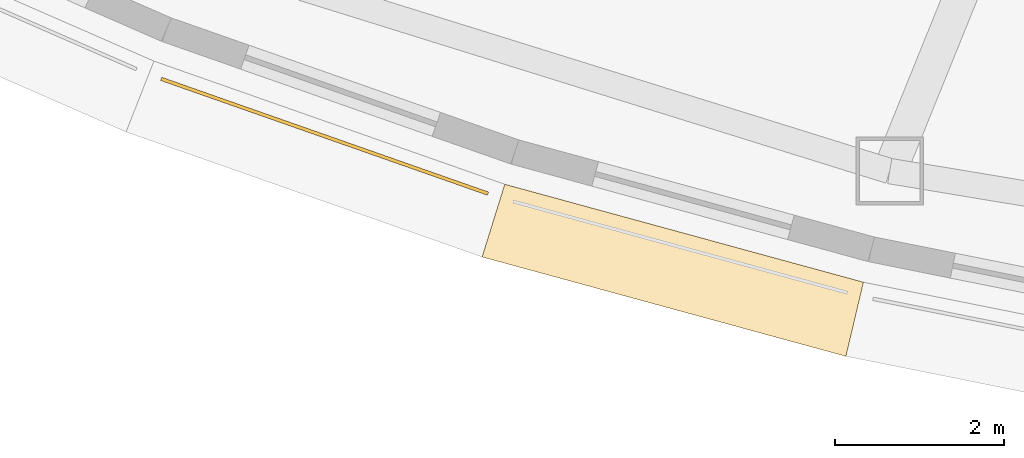
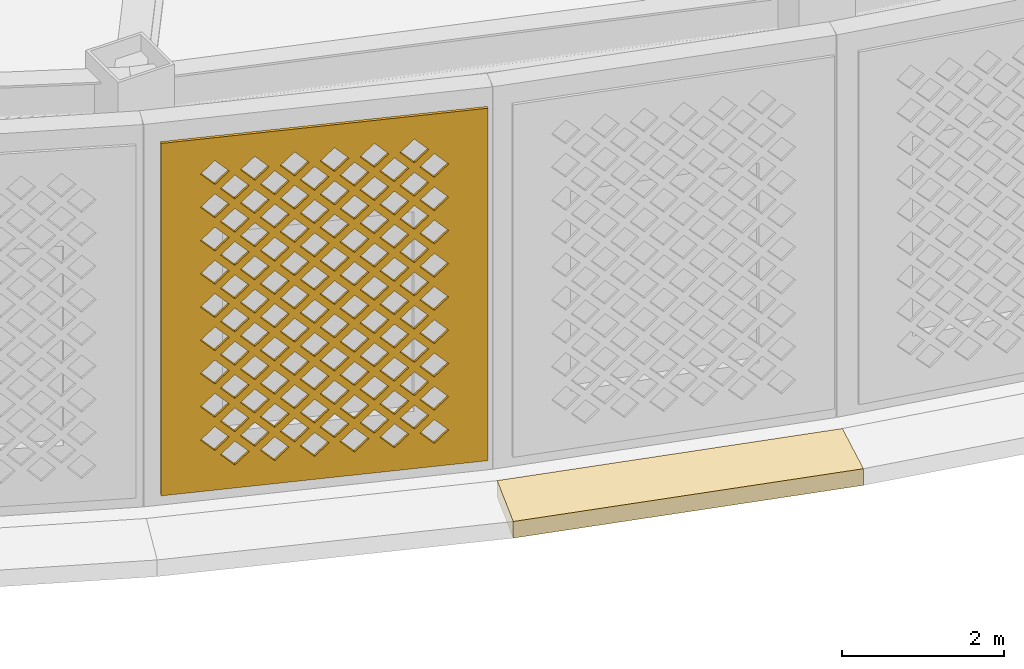
# One storey, part 53 of 74: 2 coverings.
"""IFC4 building model written with IfcOpenShell, lengths in metres."""

from ifc_helpers import new_model, si_unit, direction, frame, origin, place, context, subcontext, project, spatial, polyline, outline, extrude, material, layer, layer_set, type_object, element, save


model = new_model("IFC4")

# Units and contexts
model_context = context("Model", 3, precision=1e-05, world=origin(), true_north=direction((0.0, 1.0)))
body_context = subcontext(model_context, "Body", "Model", "MODEL_VIEW")
ifc_project = project(units=[si_unit("LENGTHUNIT", "METRE"), si_unit("AREAUNIT", "SQUARE_METRE"), si_unit("VOLUMEUNIT", "CUBIC_METRE"), si_unit("PLANEANGLEUNIT", "RADIAN"), si_unit("MASSUNIT", "GRAM", prefix="KILO")], contexts=[model_context])

# Site, building, storey
site_placement = place(None, origin())
site = spatial("IfcSite", under=ifc_project, at=site_placement, CompositionType="ELEMENT")
building_placement = place(site_placement, origin())
building = spatial("IfcBuilding", under=site, at=building_placement, Name="Noorbagh Ring Tower", CompositionType="ELEMENT")
storey_placement = place(building_placement, frame((0.0, 0.0, 13.5)))
storey = spatial("IfcBuildingStorey", under=building, at=storey_placement, Name="L02", CompositionType="ELEMENT", Elevation=13.5)

# Coverings
ifc_material_1 = material(Name="Red sandstone eave", Category="masonry")
covering_type_1 = type_object("IfcCoveringType", Name="STY-CHHAJJA", PredefinedType="USERDEFINED", material=ifc_material_1)
covering_1_placement = place(storey_placement, frame((0.0, 0.0, -0.25)))
element("IfcCovering", 1, at=covering_1_placement, inside=storey, type_object=covering_type_1, Name="Chhajja eave", ObjectType="CHHAJJA", PredefinedType="USERDEFINED", context=body_context, shape_type="SweptSolid", body=[
    extrude(outline(polyline([(-19.49853515625, -37.081298828125), (-15.2568359375, -38.239501953125), (-15.464111328125, -39.115966796875), (-19.7666015625, -37.941162109375), (-19.49853515625, -37.081298828125)])), origin(), (0.0, 0.0, 1.0), 0.25),
])
ifc_material_2 = material(Name="Red sandstone jali", Category="masonry")
ifc_layer = layer(ifc_material_2, 0.0400390625)
ifc_layer_set = layer_set([ifc_layer], Name="Red sandstone jali")
covering_type_2 = type_object("IfcCoveringType", Name="STY-JALI", PredefinedType="USERDEFINED", material=ifc_layer_set)
covering_2_placement = place(storey_placement, frame((-23.568603515625, -35.853759765625, 0.449951171875), z_axis=(-0.331258049676, -0.94354019762, 0.0), x_axis=(0.94354019762, -0.331258049676, 0.0)))
element("IfcCovering", 2, at=covering_2_placement, inside=storey, type_object=covering_type_2, Name="Jali screen", ObjectType="SCREEN", PredefinedType="USERDEFINED", context=body_context, shape_type="SweptSolid", body=[
    extrude(outline(polyline([(0.0, 0.0), (4.096923828125, 0.0), (4.096923828125, 5.300048828125), (0.0, 5.300048828125), (0.0, 0.0)]), holes=[polyline([(0.743408203125, 0.52490234375), (0.92333984375, 0.344970703125), (1.103515625, 0.52490234375), (0.92333984375, 0.705078125), (0.743408203125, 0.52490234375)]), polyline([(1.243408203125, 0.52490234375), (1.42333984375, 0.344970703125), (1.603515625, 0.52490234375), (1.42333984375, 0.705078125), (1.243408203125, 0.52490234375)]), polyline([(1.743408203125, 0.52490234375), (1.92333984375, 0.344970703125), (2.103515625, 0.52490234375), (1.92333984375, 0.705078125), (1.743408203125, 0.52490234375)]), polyline([(2.243408203125, 0.52490234375), (2.42333984375, 0.344970703125), (2.603515625, 0.52490234375), (2.42333984375, 0.705078125), (2.243408203125, 0.52490234375)]), polyline([(2.743408203125, 0.52490234375), (2.92333984375, 0.344970703125), (3.103515625, 0.52490234375), (2.92333984375, 0.705078125), (2.743408203125, 0.52490234375)]), polyline([(3.243408203125, 0.52490234375), (3.42333984375, 0.344970703125), (3.603515625, 0.52490234375), (3.42333984375, 0.705078125), (3.243408203125, 0.52490234375)]), polyline([(0.493408203125, 0.77490234375), (0.67333984375, 0.594970703125), (0.853515625, 0.77490234375), (0.67333984375, 0.955078125), (0.493408203125, 0.77490234375)]), polyline([(0.993408203125, 0.77490234375), (1.17333984375, 0.594970703125), (1.353515625, 0.77490234375), (1.17333984375, 0.955078125), (0.993408203125, 0.77490234375)]), polyline([(1.493408203125, 0.77490234375), (1.67333984375, 0.594970703125), (1.853515625, 0.77490234375), (1.67333984375, 0.955078125), (1.493408203125, 0.77490234375)]), polyline([(1.993408203125, 0.77490234375), (2.17333984375, 0.594970703125), (2.353515625, 0.77490234375), (2.17333984375, 0.955078125), (1.993408203125, 0.77490234375)]), polyline([(2.493408203125, 0.77490234375), (2.67333984375, 0.594970703125), (2.853515625, 0.77490234375), (2.67333984375, 0.955078125), (2.493408203125, 0.77490234375)]), polyline([(2.993408203125, 0.77490234375), (3.17333984375, 0.594970703125), (3.353515625, 0.77490234375), (3.17333984375, 0.955078125), (2.993408203125, 0.77490234375)]), polyline([(0.743408203125, 1.02490234375), (0.92333984375, 0.844970703125), (1.103515625, 1.02490234375), (0.92333984375, 1.205078125), (0.743408203125, 1.02490234375)]), polyline([(1.243408203125, 1.02490234375), (1.42333984375, 0.844970703125), (1.603515625, 1.02490234375), (1.42333984375, 1.205078125), (1.243408203125, 1.02490234375)]), polyline([(1.743408203125, 1.02490234375), (1.92333984375, 0.844970703125), (2.103515625, 1.02490234375), (1.92333984375, 1.205078125), (1.743408203125, 1.02490234375)]), polyline([(2.243408203125, 1.02490234375), (2.42333984375, 0.844970703125), (2.603515625, 1.02490234375), (2.42333984375, 1.205078125), (2.243408203125, 1.02490234375)]), polyline([(2.743408203125, 1.02490234375), (2.92333984375, 0.844970703125), (3.103515625, 1.02490234375), (2.92333984375, 1.205078125), (2.743408203125, 1.02490234375)]), polyline([(3.243408203125, 1.02490234375), (3.42333984375, 0.844970703125), (3.603515625, 1.02490234375), (3.42333984375, 1.205078125), (3.243408203125, 1.02490234375)]), polyline([(0.493408203125, 1.27490234375), (0.67333984375, 1.094970703125), (0.853515625, 1.27490234375), (0.67333984375, 1.455078125), (0.493408203125, 1.27490234375)]), polyline([(0.993408203125, 1.27490234375), (1.17333984375, 1.094970703125), (1.353515625, 1.27490234375), (1.17333984375, 1.455078125), (0.993408203125, 1.27490234375)]), polyline([(1.493408203125, 1.27490234375), (1.67333984375, 1.094970703125), (1.853515625, 1.27490234375), (1.67333984375, 1.455078125), (1.493408203125, 1.27490234375)]), polyline([(1.993408203125, 1.27490234375), (2.17333984375, 1.094970703125), (2.353515625, 1.27490234375), (2.17333984375, 1.455078125), (1.993408203125, 1.27490234375)]), polyline([(2.493408203125, 1.27490234375), (2.67333984375, 1.094970703125), (2.853515625, 1.27490234375), (2.67333984375, 1.455078125), (2.493408203125, 1.27490234375)]), polyline([(2.993408203125, 1.27490234375), (3.17333984375, 1.094970703125), (3.353515625, 1.27490234375), (3.17333984375, 1.455078125), (2.993408203125, 1.27490234375)]), polyline([(0.743408203125, 1.52490234375), (0.92333984375, 1.344970703125), (1.103515625, 1.52490234375), (0.92333984375, 1.705078125), (0.743408203125, 1.52490234375)]), polyline([(1.243408203125, 1.52490234375), (1.42333984375, 1.344970703125), (1.603515625, 1.52490234375), (1.42333984375, 1.705078125), (1.243408203125, 1.52490234375)]), polyline([(1.743408203125, 1.52490234375), (1.92333984375, 1.344970703125), (2.103515625, 1.52490234375), (1.92333984375, 1.705078125), (1.743408203125, 1.52490234375)]), polyline([(2.243408203125, 1.52490234375), (2.42333984375, 1.344970703125), (2.603515625, 1.52490234375), (2.42333984375, 1.705078125), (2.243408203125, 1.52490234375)]), polyline([(2.743408203125, 1.52490234375), (2.92333984375, 1.344970703125), (3.103515625, 1.52490234375), (2.92333984375, 1.705078125), (2.743408203125, 1.52490234375)]), polyline([(3.243408203125, 1.52490234375), (3.42333984375, 1.344970703125), (3.603515625, 1.52490234375), (3.42333984375, 1.705078125), (3.243408203125, 1.52490234375)]), polyline([(0.493408203125, 1.77490234375), (0.67333984375, 1.594970703125), (0.853515625, 1.77490234375), (0.67333984375, 1.955078125), (0.493408203125, 1.77490234375)]), polyline([(0.993408203125, 1.77490234375), (1.17333984375, 1.594970703125), (1.353515625, 1.77490234375), (1.17333984375, 1.955078125), (0.993408203125, 1.77490234375)]), polyline([(1.493408203125, 1.77490234375), (1.67333984375, 1.594970703125), (1.853515625, 1.77490234375), (1.67333984375, 1.955078125), (1.493408203125, 1.77490234375)]), polyline([(1.993408203125, 1.77490234375), (2.17333984375, 1.594970703125), (2.353515625, 1.77490234375), (2.17333984375, 1.955078125), (1.993408203125, 1.77490234375)]), polyline([(2.493408203125, 1.77490234375), (2.67333984375, 1.594970703125), (2.853515625, 1.77490234375), (2.67333984375, 1.955078125), (2.493408203125, 1.77490234375)]), polyline([(2.993408203125, 1.77490234375), (3.17333984375, 1.594970703125), (3.353515625, 1.77490234375), (3.17333984375, 1.955078125), (2.993408203125, 1.77490234375)]), polyline([(0.743408203125, 2.02490234375), (0.92333984375, 1.844970703125), (1.103515625, 2.02490234375), (0.92333984375, 2.205078125), (0.743408203125, 2.02490234375)]), polyline([(1.243408203125, 2.02490234375), (1.42333984375, 1.844970703125), (1.603515625, 2.02490234375), (1.42333984375, 2.205078125), (1.243408203125, 2.02490234375)]), polyline([(1.743408203125, 2.02490234375), (1.92333984375, 1.844970703125), (2.103515625, 2.02490234375), (1.92333984375, 2.205078125), (1.743408203125, 2.02490234375)]), polyline([(2.243408203125, 2.02490234375), (2.42333984375, 1.844970703125), (2.603515625, 2.02490234375), (2.42333984375, 2.205078125), (2.243408203125, 2.02490234375)]), polyline([(2.743408203125, 2.02490234375), (2.92333984375, 1.844970703125), (3.103515625, 2.02490234375), (2.92333984375, 2.205078125), (2.743408203125, 2.02490234375)]), polyline([(3.243408203125, 2.02490234375), (3.42333984375, 1.844970703125), (3.603515625, 2.02490234375), (3.42333984375, 2.205078125), (3.243408203125, 2.02490234375)]), polyline([(0.493408203125, 2.27490234375), (0.67333984375, 2.094970703125), (0.853515625, 2.27490234375), (0.67333984375, 2.455078125), (0.493408203125, 2.27490234375)]), polyline([(0.993408203125, 2.27490234375), (1.17333984375, 2.094970703125), (1.353515625, 2.27490234375), (1.17333984375, 2.455078125), (0.993408203125, 2.27490234375)]), polyline([(1.493408203125, 2.27490234375), (1.67333984375, 2.094970703125), (1.853515625, 2.27490234375), (1.67333984375, 2.455078125), (1.493408203125, 2.27490234375)]), polyline([(1.993408203125, 2.27490234375), (2.17333984375, 2.094970703125), (2.353515625, 2.27490234375), (2.17333984375, 2.455078125), (1.993408203125, 2.27490234375)]), polyline([(2.493408203125, 2.27490234375), (2.67333984375, 2.094970703125), (2.853515625, 2.27490234375), (2.67333984375, 2.455078125), (2.493408203125, 2.27490234375)]), polyline([(2.993408203125, 2.27490234375), (3.17333984375, 2.094970703125), (3.353515625, 2.27490234375), (3.17333984375, 2.455078125), (2.993408203125, 2.27490234375)]), polyline([(0.743408203125, 2.52490234375), (0.92333984375, 2.344970703125), (1.103515625, 2.52490234375), (0.92333984375, 2.705078125), (0.743408203125, 2.52490234375)]), polyline([(1.243408203125, 2.52490234375), (1.42333984375, 2.344970703125), (1.603515625, 2.52490234375), (1.42333984375, 2.705078125), (1.243408203125, 2.52490234375)]), polyline([(1.743408203125, 2.52490234375), (1.92333984375, 2.344970703125), (2.103515625, 2.52490234375), (1.92333984375, 2.705078125), (1.743408203125, 2.52490234375)]), polyline([(2.243408203125, 2.52490234375), (2.42333984375, 2.344970703125), (2.603515625, 2.52490234375), (2.42333984375, 2.705078125), (2.243408203125, 2.52490234375)]), polyline([(2.743408203125, 2.52490234375), (2.92333984375, 2.344970703125), (3.103515625, 2.52490234375), (2.92333984375, 2.705078125), (2.743408203125, 2.52490234375)]), polyline([(3.243408203125, 2.52490234375), (3.42333984375, 2.344970703125), (3.603515625, 2.52490234375), (3.42333984375, 2.705078125), (3.243408203125, 2.52490234375)]), polyline([(0.493408203125, 2.77490234375), (0.67333984375, 2.594970703125), (0.853515625, 2.77490234375), (0.67333984375, 2.955078125), (0.493408203125, 2.77490234375)]), polyline([(0.993408203125, 2.77490234375), (1.17333984375, 2.594970703125), (1.353515625, 2.77490234375), (1.17333984375, 2.955078125), (0.993408203125, 2.77490234375)]), polyline([(1.493408203125, 2.77490234375), (1.67333984375, 2.594970703125), (1.853515625, 2.77490234375), (1.67333984375, 2.955078125), (1.493408203125, 2.77490234375)]), polyline([(1.993408203125, 2.77490234375), (2.17333984375, 2.594970703125), (2.353515625, 2.77490234375), (2.17333984375, 2.955078125), (1.993408203125, 2.77490234375)]), polyline([(2.493408203125, 2.77490234375), (2.67333984375, 2.594970703125), (2.853515625, 2.77490234375), (2.67333984375, 2.955078125), (2.493408203125, 2.77490234375)]), polyline([(2.993408203125, 2.77490234375), (3.17333984375, 2.594970703125), (3.353515625, 2.77490234375), (3.17333984375, 2.955078125), (2.993408203125, 2.77490234375)]), polyline([(0.743408203125, 3.02490234375), (0.92333984375, 2.844970703125), (1.103515625, 3.02490234375), (0.92333984375, 3.205078125), (0.743408203125, 3.02490234375)]), polyline([(1.243408203125, 3.02490234375), (1.42333984375, 2.844970703125), (1.603515625, 3.02490234375), (1.42333984375, 3.205078125), (1.243408203125, 3.02490234375)]), polyline([(1.743408203125, 3.02490234375), (1.92333984375, 2.844970703125), (2.103515625, 3.02490234375), (1.92333984375, 3.205078125), (1.743408203125, 3.02490234375)]), polyline([(2.243408203125, 3.02490234375), (2.42333984375, 2.844970703125), (2.603515625, 3.02490234375), (2.42333984375, 3.205078125), (2.243408203125, 3.02490234375)]), polyline([(2.743408203125, 3.02490234375), (2.92333984375, 2.844970703125), (3.103515625, 3.02490234375), (2.92333984375, 3.205078125), (2.743408203125, 3.02490234375)]), polyline([(3.243408203125, 3.02490234375), (3.42333984375, 2.844970703125), (3.603515625, 3.02490234375), (3.42333984375, 3.205078125), (3.243408203125, 3.02490234375)]), polyline([(0.493408203125, 3.27490234375), (0.67333984375, 3.094970703125), (0.853515625, 3.27490234375), (0.67333984375, 3.455078125), (0.493408203125, 3.27490234375)]), polyline([(0.993408203125, 3.27490234375), (1.17333984375, 3.094970703125), (1.353515625, 3.27490234375), (1.17333984375, 3.455078125), (0.993408203125, 3.27490234375)]), polyline([(1.493408203125, 3.27490234375), (1.67333984375, 3.094970703125), (1.853515625, 3.27490234375), (1.67333984375, 3.455078125), (1.493408203125, 3.27490234375)]), polyline([(1.993408203125, 3.27490234375), (2.17333984375, 3.094970703125), (2.353515625, 3.27490234375), (2.17333984375, 3.455078125), (1.993408203125, 3.27490234375)]), polyline([(2.493408203125, 3.27490234375), (2.67333984375, 3.094970703125), (2.853515625, 3.27490234375), (2.67333984375, 3.455078125), (2.493408203125, 3.27490234375)]), polyline([(2.993408203125, 3.27490234375), (3.17333984375, 3.094970703125), (3.353515625, 3.27490234375), (3.17333984375, 3.455078125), (2.993408203125, 3.27490234375)]), polyline([(0.743408203125, 3.52490234375), (0.92333984375, 3.344970703125), (1.103515625, 3.52490234375), (0.92333984375, 3.705078125), (0.743408203125, 3.52490234375)]), polyline([(1.243408203125, 3.52490234375), (1.42333984375, 3.344970703125), (1.603515625, 3.52490234375), (1.42333984375, 3.705078125), (1.243408203125, 3.52490234375)]), polyline([(1.743408203125, 3.52490234375), (1.92333984375, 3.344970703125), (2.103515625, 3.52490234375), (1.92333984375, 3.705078125), (1.743408203125, 3.52490234375)]), polyline([(2.243408203125, 3.52490234375), (2.42333984375, 3.344970703125), (2.603515625, 3.52490234375), (2.42333984375, 3.705078125), (2.243408203125, 3.52490234375)]), polyline([(2.743408203125, 3.52490234375), (2.92333984375, 3.344970703125), (3.103515625, 3.52490234375), (2.92333984375, 3.705078125), (2.743408203125, 3.52490234375)]), polyline([(3.243408203125, 3.52490234375), (3.42333984375, 3.344970703125), (3.603515625, 3.52490234375), (3.42333984375, 3.705078125), (3.243408203125, 3.52490234375)]), polyline([(0.493408203125, 3.77490234375), (0.67333984375, 3.594970703125), (0.853515625, 3.77490234375), (0.67333984375, 3.955078125), (0.493408203125, 3.77490234375)]), polyline([(0.993408203125, 3.77490234375), (1.17333984375, 3.594970703125), (1.353515625, 3.77490234375), (1.17333984375, 3.955078125), (0.993408203125, 3.77490234375)]), polyline([(1.493408203125, 3.77490234375), (1.67333984375, 3.594970703125), (1.853515625, 3.77490234375), (1.67333984375, 3.955078125), (1.493408203125, 3.77490234375)]), polyline([(1.993408203125, 3.77490234375), (2.17333984375, 3.594970703125), (2.353515625, 3.77490234375), (2.17333984375, 3.955078125), (1.993408203125, 3.77490234375)]), polyline([(2.493408203125, 3.77490234375), (2.67333984375, 3.594970703125), (2.853515625, 3.77490234375), (2.67333984375, 3.955078125), (2.493408203125, 3.77490234375)]), polyline([(2.993408203125, 3.77490234375), (3.17333984375, 3.594970703125), (3.353515625, 3.77490234375), (3.17333984375, 3.955078125), (2.993408203125, 3.77490234375)]), polyline([(0.743408203125, 4.02490234375), (0.92333984375, 3.844970703125), (1.103515625, 4.02490234375), (0.92333984375, 4.205078125), (0.743408203125, 4.02490234375)]), polyline([(1.243408203125, 4.02490234375), (1.42333984375, 3.844970703125), (1.603515625, 4.02490234375), (1.42333984375, 4.205078125), (1.243408203125, 4.02490234375)]), polyline([(1.743408203125, 4.02490234375), (1.92333984375, 3.844970703125), (2.103515625, 4.02490234375), (1.92333984375, 4.205078125), (1.743408203125, 4.02490234375)]), polyline([(2.243408203125, 4.02490234375), (2.42333984375, 3.844970703125), (2.603515625, 4.02490234375), (2.42333984375, 4.205078125), (2.243408203125, 4.02490234375)]), polyline([(2.743408203125, 4.02490234375), (2.92333984375, 3.844970703125), (3.103515625, 4.02490234375), (2.92333984375, 4.205078125), (2.743408203125, 4.02490234375)]), polyline([(3.243408203125, 4.02490234375), (3.42333984375, 3.844970703125), (3.603515625, 4.02490234375), (3.42333984375, 4.205078125), (3.243408203125, 4.02490234375)]), polyline([(0.493408203125, 4.27490234375), (0.67333984375, 4.094970703125), (0.853515625, 4.27490234375), (0.67333984375, 4.455078125), (0.493408203125, 4.27490234375)]), polyline([(0.993408203125, 4.27490234375), (1.17333984375, 4.094970703125), (1.353515625, 4.27490234375), (1.17333984375, 4.455078125), (0.993408203125, 4.27490234375)]), polyline([(1.493408203125, 4.27490234375), (1.67333984375, 4.094970703125), (1.853515625, 4.27490234375), (1.67333984375, 4.455078125), (1.493408203125, 4.27490234375)]), polyline([(1.993408203125, 4.27490234375), (2.17333984375, 4.094970703125), (2.353515625, 4.27490234375), (2.17333984375, 4.455078125), (1.993408203125, 4.27490234375)]), polyline([(2.493408203125, 4.27490234375), (2.67333984375, 4.094970703125), (2.853515625, 4.27490234375), (2.67333984375, 4.455078125), (2.493408203125, 4.27490234375)]), polyline([(2.993408203125, 4.27490234375), (3.17333984375, 4.094970703125), (3.353515625, 4.27490234375), (3.17333984375, 4.455078125), (2.993408203125, 4.27490234375)]), polyline([(0.743408203125, 4.52490234375), (0.92333984375, 4.344970703125), (1.103515625, 4.52490234375), (0.92333984375, 4.705078125), (0.743408203125, 4.52490234375)]), polyline([(1.243408203125, 4.52490234375), (1.42333984375, 4.344970703125), (1.603515625, 4.52490234375), (1.42333984375, 4.705078125), (1.243408203125, 4.52490234375)]), polyline([(1.743408203125, 4.52490234375), (1.92333984375, 4.344970703125), (2.103515625, 4.52490234375), (1.92333984375, 4.705078125), (1.743408203125, 4.52490234375)]), polyline([(2.243408203125, 4.52490234375), (2.42333984375, 4.344970703125), (2.603515625, 4.52490234375), (2.42333984375, 4.705078125), (2.243408203125, 4.52490234375)]), polyline([(2.743408203125, 4.52490234375), (2.92333984375, 4.344970703125), (3.103515625, 4.52490234375), (2.92333984375, 4.705078125), (2.743408203125, 4.52490234375)]), polyline([(3.243408203125, 4.52490234375), (3.42333984375, 4.344970703125), (3.603515625, 4.52490234375), (3.42333984375, 4.705078125), (3.243408203125, 4.52490234375)]), polyline([(0.493408203125, 4.77490234375), (0.67333984375, 4.594970703125), (0.853515625, 4.77490234375), (0.67333984375, 4.955078125), (0.493408203125, 4.77490234375)]), polyline([(0.993408203125, 4.77490234375), (1.17333984375, 4.594970703125), (1.353515625, 4.77490234375), (1.17333984375, 4.955078125), (0.993408203125, 4.77490234375)]), polyline([(1.493408203125, 4.77490234375), (1.67333984375, 4.594970703125), (1.853515625, 4.77490234375), (1.67333984375, 4.955078125), (1.493408203125, 4.77490234375)]), polyline([(1.993408203125, 4.77490234375), (2.17333984375, 4.594970703125), (2.353515625, 4.77490234375), (2.17333984375, 4.955078125), (1.993408203125, 4.77490234375)]), polyline([(2.493408203125, 4.77490234375), (2.67333984375, 4.594970703125), (2.853515625, 4.77490234375), (2.67333984375, 4.955078125), (2.493408203125, 4.77490234375)]), polyline([(2.993408203125, 4.77490234375), (3.17333984375, 4.594970703125), (3.353515625, 4.77490234375), (3.17333984375, 4.955078125), (2.993408203125, 4.77490234375)])]), origin(), (0.0, 0.0, -1.0), 0.0400390625),
])

save(model, "model.ifc")
